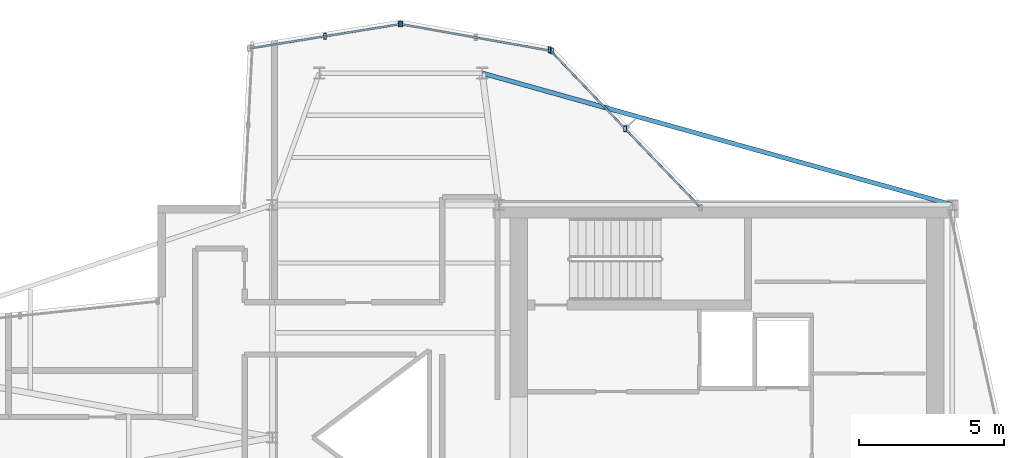
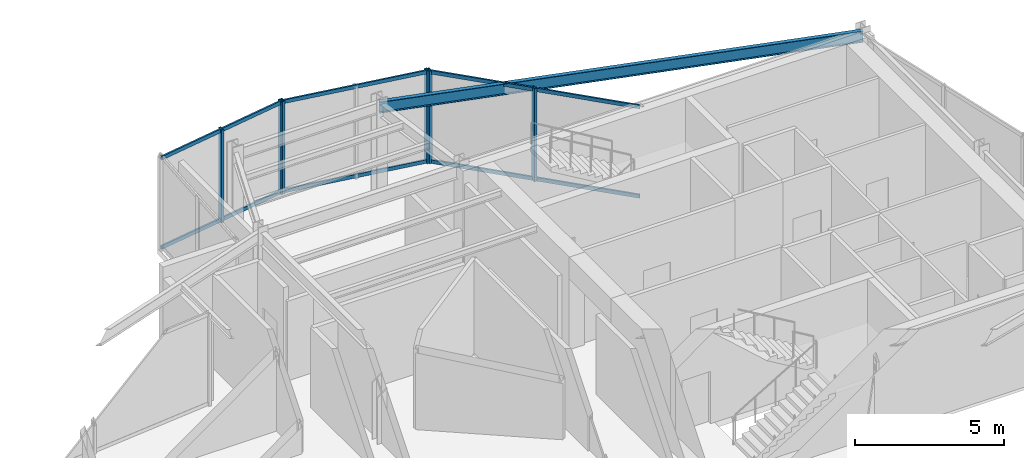
# One storey, part 6 of 13: 12 members, 1 beam, 3 elements without a shape of their own.
"""IFC4 building model written with IfcOpenShell, lengths in metres."""

from ifc_helpers import new_model, si_unit, direction, frame, origin, origin_2d, place, context, subcontext, project, spatial, hollow_rectangle, i_section, extrude, material, layer, layer_set, material_profile, profile_set, type_object, element, aggregate, save


model = new_model("IFC4")

# Units and contexts
model_context = context("Model", 3, precision=1e-05, world=origin(), true_north=direction((0.0, 1.0)))
body_context = subcontext(model_context, "Body", "Model", "MODEL_VIEW")
ifc_project = project(units=[si_unit("LENGTHUNIT", "METRE"), si_unit("AREAUNIT", "SQUARE_METRE"), si_unit("VOLUMEUNIT", "CUBIC_METRE"), si_unit("PLANEANGLEUNIT", "RADIAN"), si_unit("MASSUNIT", "GRAM", prefix="KILO")], contexts=[model_context])

# Site, building, storey
site_placement = place(None, origin())
site = spatial("IfcSite", under=ifc_project, at=site_placement, CompositionType="ELEMENT")
building_placement = place(site_placement, origin())
building = spatial("IfcBuilding", under=site, at=building_placement, Name="Veymaron Broadcast Tower", CompositionType="ELEMENT")
storey_placement = place(building_placement, frame((0.0, 0.0, 291.14990234375)))
storey = spatial("IfcBuildingStorey", under=building, at=storey_placement, Name="L68", CompositionType="ELEMENT", Elevation=291.14990234375)

# Beam
ifc_material_1 = material(Name="Structural steel ASTM A992 Gr 50", Category="steel")
ifc_material_profile_1 = material_profile(ifc_material_1, i_section(OverallWidth=0.154052734375, OverallDepth=0.458984375, WebThickness=0.009033203125, FlangeThickness=0.015380859375, at=origin_2d()), Name="W460X68")
ifc_profile_set_1 = profile_set([ifc_material_profile_1], Name="Structural steel ASTM A992 Gr 50")
beam_type = type_object("IfcBeamType", Name="BM-SP2", PredefinedType="SPANDREL", material=ifc_profile_set_1)
beam_placement = place(storey_placement, frame((54.60009765625, 32.0, 3.58056640625), z_axis=(-0.962930809843, 0.269748504084, 0.0), x_axis=(-0.269748504084, -0.962930809843, 0.0)))
element("IfcBeam", 1, at=beam_placement, inside=storey, type_object=beam_type, Name="L68 primary structural floor girder", PredefinedType="SPANDREL", context=body_context, shape_type="SweptSolid", body=[
    extrude(i_section(OverallWidth=0.154052734375, OverallDepth=0.458984375, WebThickness=0.009033203125, FlangeThickness=0.015380859375, at=origin_2d()), origin(), (0.0, 0.0, 1.0), 16.80078125),
])

# Curtain wall, members
ifc_material_2 = material(Name="Anodised aluminium AA 6063-T6 and laminated low-E dark glass", Category="aluminium")
ifc_layer = layer(ifc_material_2, 0.179931640625)
ifc_layer_set = layer_set([ifc_layer], Name="Anodised aluminium AA 6063-T6 and laminated low-E dark glass")
curtain_wall_type = type_object("IfcCurtainWallType", Name="CW-SYS-06", PredefinedType="NOTDEFINED", material=ifc_layer_set)
curtain_wall_1_placement = place(storey_placement, origin())
curtain_wall_1 = element("IfcCurtainWall", 2, at=curtain_wall_1_placement, inside=storey, type_object=curtain_wall_type, Name="L68 dark-glass curtain wall CW-L68-E5-1", PredefinedType="NOTDEFINED")
ifc_material_3 = material(Name="Anodised aluminium AA 6063-T6", Category="aluminium")
ifc_material_profile_2 = material_profile(ifc_material_3, hollow_rectangle(XDim=0.10009765625, YDim=0.199951171875, WallThickness=0.010009765625, at=origin_2d()), Name="RHS200X100X10")
ifc_profile_set_2 = profile_set([ifc_material_profile_2], Name="Anodised aluminium AA 6063-T6")
member_type_1 = type_object("IfcMemberType", Name="CW-MUL-01", PredefinedType="MULLION", material=ifc_profile_set_2)
member_1_placement = place(storey_placement, frame((43.33837890625, 34.61962890625, 0.0), z_axis=(0.0, 0.0, 1.0), x_axis=(1.0, 0.0, 0.0)))
member_1 = element("IfcMember", 3, at=member_1_placement, type_object=member_type_1, Name="CW-L68-E5-1 mullion 1", PredefinedType="MULLION", context=body_context, shape_type="SweptSolid", body=[
    extrude(hollow_rectangle(XDim=0.10009765625, YDim=0.199951171875, WallThickness=0.010009765625, at=origin_2d()), origin(), (0.0, 0.0, 1.0), 3.81005859375),
])
member_2_placement = place(storey_placement, frame((40.74267578125, 37.336181640625, 0.0), z_axis=(0.0, 0.0, 1.0), x_axis=(1.0, 0.0, 0.0)))
member_2 = element("IfcMember", 4, at=member_2_placement, type_object=member_type_1, Name="CW-L68-E5-1 mullion 2", PredefinedType="MULLION", context=body_context, shape_type="SweptSolid", body=[
    extrude(hollow_rectangle(XDim=0.10009765625, YDim=0.199951171875, WallThickness=0.010009765625, at=origin_2d()), origin(), (0.0, 0.0, 1.0), 3.81005859375),
])

curtain_wall_2_placement = place(storey_placement, origin())
curtain_wall_2 = element("IfcCurtainWall", 5, at=curtain_wall_2_placement, inside=storey, type_object=curtain_wall_type, Name="L68 dark-glass curtain wall CW-L68-E6-1", PredefinedType="NOTDEFINED")
member_3_placement = place(storey_placement, frame((40.819580078125, 37.294921875, 0.0), z_axis=(0.0, 0.0, 1.0), x_axis=(1.0, 0.0, 0.0)))
member_3 = element("IfcMember", 6, at=member_3_placement, type_object=member_type_1, Name="CW-L68-E6-1 mullion 0", PredefinedType="MULLION", context=body_context, shape_type="SweptSolid", body=[
    extrude(hollow_rectangle(XDim=0.10009765625, YDim=0.199951171875, WallThickness=0.010009765625, at=origin_2d()), origin(), (0.0, 0.0, 1.0), 3.81005859375),
])
member_4_placement = place(storey_placement, frame((35.584716796875, 38.223388671875, 0.0), z_axis=(0.0, 0.0, 1.0), x_axis=(1.0, 0.0, 0.0)))
member_4 = element("IfcMember", 7, at=member_4_placement, type_object=member_type_1, Name="CW-L68-E6-1 mullion 2", PredefinedType="MULLION", context=body_context, shape_type="SweptSolid", body=[
    extrude(hollow_rectangle(XDim=0.10009765625, YDim=0.199951171875, WallThickness=0.010009765625, at=origin_2d()), origin(), (0.0, 0.0, 1.0), 3.81005859375),
])

curtain_wall_3_placement = place(storey_placement, origin())
curtain_wall_3 = element("IfcCurtainWall", 8, at=curtain_wall_3_placement, inside=storey, type_object=curtain_wall_type, Name="L68 dark-glass curtain wall CW-L68-E7-1", PredefinedType="NOTDEFINED")
member_5_placement = place(storey_placement, frame((35.631591796875, 38.222900390625, 0.0), z_axis=(0.0, 0.0, 1.0), x_axis=(1.0, 0.0, 0.0)))
member_5 = element("IfcMember", 9, at=member_5_placement, type_object=member_type_1, Name="CW-L68-E7-1 mullion 0", PredefinedType="MULLION", context=body_context, shape_type="SweptSolid", body=[
    extrude(hollow_rectangle(XDim=0.10009765625, YDim=0.199951171875, WallThickness=0.010009765625, at=origin_2d()), origin(), (0.0, 0.0, 1.0), 3.81005859375),
])
member_6_placement = place(storey_placement, frame((33.01416015625, 37.801025390625, 0.0), z_axis=(0.0, 0.0, 1.0), x_axis=(1.0, 0.0, 0.0)))
member_6 = element("IfcMember", 10, at=member_6_placement, type_object=member_type_1, Name="CW-L68-E7-1 mullion 1", PredefinedType="MULLION", context=body_context, shape_type="SweptSolid", body=[
    extrude(hollow_rectangle(XDim=0.10009765625, YDim=0.199951171875, WallThickness=0.010009765625, at=origin_2d()), origin(), (0.0, 0.0, 1.0), 3.81005859375),
])

# Member
ifc_material_profile_3 = material_profile(ifc_material_3, hollow_rectangle(XDim=0.06494140625, YDim=0.14990234375, WallThickness=0.00390625, at=origin_2d()), Name="AL150X65X4")
ifc_profile_set_3 = profile_set([ifc_material_profile_3], Name="Anodised aluminium AA 6063-T6")
member_type_2 = type_object("IfcMemberType", Name="CW-TRN-01", PredefinedType="USERDEFINED", material=ifc_profile_set_3)
member_7_placement = place(storey_placement, frame((45.89990234375, 31.939453125, 0.070068359375), z_axis=(-0.690889898106, 0.722959991075, 0.0), x_axis=(-0.722959991075, -0.690889898106, 0.0)))
member_7 = element("IfcMember", 11, at=member_7_placement, type_object=member_type_2, Name="CW-L68-E5-1 transom B", ObjectType="TRANSOM", PredefinedType="USERDEFINED", context=body_context, shape_type="SweptSolid", body=[
    extrude(hollow_rectangle(XDim=0.06494140625, YDim=0.14990234375, WallThickness=0.00390625, at=origin_2d()), origin(), (0.0, 0.0, 1.0), 7.414794921875),
])

member_8_placement = place(storey_placement, frame((45.89990234375, 31.939453125, 3.739990234375), z_axis=(-0.690889898106, 0.722959991075, 0.0), x_axis=(-0.722959991075, -0.690889898106, 0.0)))
member_8 = element("IfcMember", 12, at=member_8_placement, type_object=member_type_2, Name="CW-L68-E5-1 transom T", ObjectType="TRANSOM", PredefinedType="USERDEFINED", context=body_context, shape_type="SweptSolid", body=[
    extrude(hollow_rectangle(XDim=0.06494140625, YDim=0.14990234375, WallThickness=0.00390625, at=origin_2d()), origin(), (0.0, 0.0, 1.0), 7.414794921875),
])

aggregate(curtain_wall_1, [member_1, member_2, member_7, member_8])

member_9_placement = place(storey_placement, frame((40.770263671875, 37.3037109375, 0.070068359375), z_axis=(-0.984635728528, 0.174620966971, 0.0), x_axis=(-0.174620966971, -0.984635728528, 0.0)))
member_9 = element("IfcMember", 13, at=member_9_placement, type_object=member_type_2, Name="CW-L68-E6-1 transom B", ObjectType="TRANSOM", PredefinedType="USERDEFINED", context=body_context, shape_type="SweptSolid", body=[
    extrude(hollow_rectangle(XDim=0.06494140625, YDim=0.14990234375, WallThickness=0.00390625, at=origin_2d()), origin(), (0.0, 0.0, 1.0), 5.21630859375),
])

member_10_placement = place(storey_placement, frame((40.770263671875, 37.3037109375, 3.739990234375), z_axis=(-0.984635728528, 0.174620966971, 0.0), x_axis=(-0.174620966971, -0.984635728528, 0.0)))
member_10 = element("IfcMember", 14, at=member_10_placement, type_object=member_type_2, Name="CW-L68-E6-1 transom T", ObjectType="TRANSOM", PredefinedType="USERDEFINED", context=body_context, shape_type="SweptSolid", body=[
    extrude(hollow_rectangle(XDim=0.06494140625, YDim=0.14990234375, WallThickness=0.00390625, at=origin_2d()), origin(), (0.0, 0.0, 1.0), 5.21630859375),
])

aggregate(curtain_wall_2, [member_3, member_4, member_9, member_10])

member_11_placement = place(storey_placement, frame((35.58203125, 38.215087890625, 0.070068359375), z_axis=(-0.987247783528, -0.15919112387, 0.0), x_axis=(0.15919112387, -0.987247783528, 0.0)))
member_11 = element("IfcMember", 15, at=member_11_placement, type_object=member_type_2, Name="CW-L68-E7-1 transom B", ObjectType="TRANSOM", PredefinedType="USERDEFINED", context=body_context, shape_type="SweptSolid", body=[
    extrude(hollow_rectangle(XDim=0.06494140625, YDim=0.14990234375, WallThickness=0.00390625, at=origin_2d()), origin(), (0.0, 0.0, 1.0), 5.2021484375),
])

member_12_placement = place(storey_placement, frame((35.58203125, 38.215087890625, 3.739990234375), z_axis=(-0.987247783528, -0.15919112387, 0.0), x_axis=(0.15919112387, -0.987247783528, 0.0)))
member_12 = element("IfcMember", 16, at=member_12_placement, type_object=member_type_2, Name="CW-L68-E7-1 transom T", ObjectType="TRANSOM", PredefinedType="USERDEFINED", context=body_context, shape_type="SweptSolid", body=[
    extrude(hollow_rectangle(XDim=0.06494140625, YDim=0.14990234375, WallThickness=0.00390625, at=origin_2d()), origin(), (0.0, 0.0, 1.0), 5.2021484375),
])

aggregate(curtain_wall_3, [member_5, member_6, member_11, member_12])

save(model, "model.ifc")
